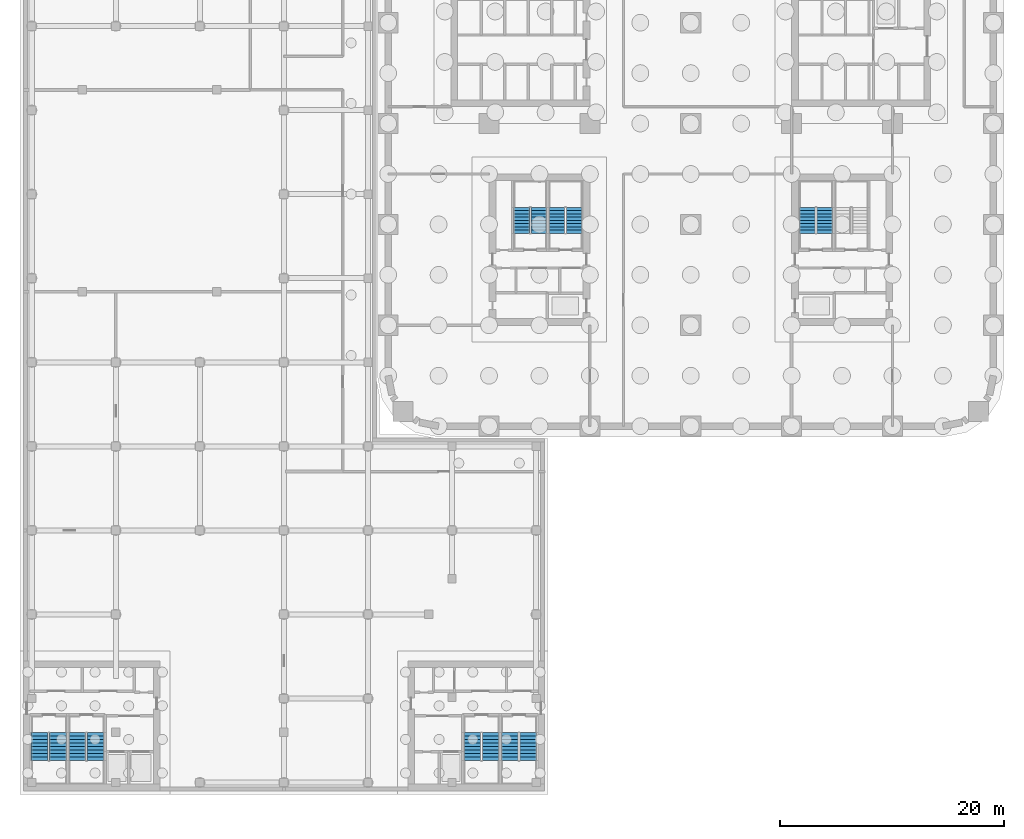
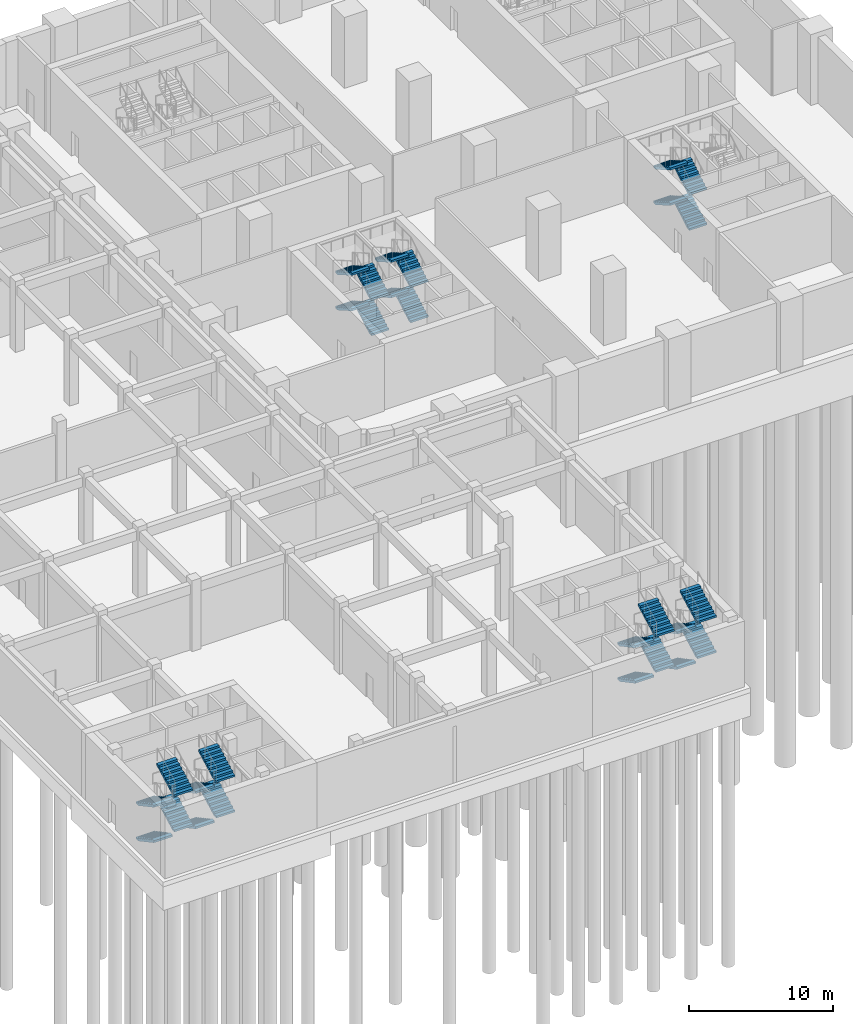
# One storey, part 15 of 26: 28 stair flights, 7 elements without a shape of their own.
"""IFC4 building model written with IfcOpenShell, lengths in metres."""

import ifcopenshell
import ifcopenshell.guid

model = None  # the IFC model being written
_history = None  # IfcOwnerHistory: only IFC2X3 demands one
_inside = {}  # id of a spatial element -> (the spatial element, [elements in it])
_under = {}  # id of a project, library or spatial element -> (it, [spatial elements below it])
_declared = {}  # id of a project -> (the project, [libraries it declares])
_typed = {}  # id of a type object -> (the type object, [elements of that type])
_made_of = {}  # id of a material, layer set ... -> (it, [elements and type objects made of it])


def new_model(schema):
    """Start an empty IFC model of exactly this schema.

    Asked for "IFC4X3", IfcOpenShell would pick the latest addendum, in which some entities
    have other attributes; the version numbers below select the first issue.
    IFC2X3 requires an IfcOwnerHistory on every rooted entity: one is made here for all.
    """
    global model, _history
    if schema == "IFC4X3":
        model = ifcopenshell.file(schema_version=(4, 3, 0, 0))
    else:
        model = ifcopenshell.file(schema=schema)
    _inside.clear()
    _under.clear()
    _declared.clear()
    _typed.clear()
    _made_of.clear()
    _history = None
    if model.schema == "IFC2X3":
        org = make("IfcOrganization", Name="unknown")
        user = make(
            "IfcPersonAndOrganization",
            ThePerson=make("IfcPerson", FamilyName="unknown"),
            TheOrganization=org,
        )
        app = make(
            "IfcApplication",
            ApplicationDeveloper=org,
            Version="unknown",
            ApplicationFullName="unknown",
            ApplicationIdentifier="unknown",
        )
        _history = make(
            "IfcOwnerHistory",
            OwningUser=user,
            OwningApplication=app,
            ChangeAction="ADDED",
            CreationDate=0,
        )
    return model


def make(cls, **values):
    """One entity of the class cls with the attributes given. An attribute that is None is left unset."""
    return model.create_entity(
        cls, **{name: value for name, value in values.items() if value is not None}
    )


def rooted(cls, **values):
    """An entity with a GlobalId (a new one), such as an element, a storey or a relation."""
    return make(cls, GlobalId=ifcopenshell.guid.new(), OwnerHistory=_history, **values)


def si_unit(unit_type, name, prefix=None):
    """IfcSIUnit, for example si_unit("LENGTHUNIT", "METRE", prefix="MILLI")."""
    return make("IfcSIUnit", UnitType=unit_type, Prefix=prefix, Name=name)


def assignment(units):
    """IfcUnitAssignment: the units of a project."""
    return None if units is None else make("IfcUnitAssignment", Units=units)


def point(xyz):
    """IfcCartesianPoint."""
    return None if xyz is None else make("IfcCartesianPoint", Coordinates=xyz)


def direction(xyz):
    """IfcDirection."""
    return None if xyz is None else make("IfcDirection", DirectionRatios=xyz)


def frame(location, z_axis=None, x_axis=None):
    """IfcAxis2Placement3D, a coordinate frame: its origin and axes. An axis left out is left unset."""
    return make(
        "IfcAxis2Placement3D",
        Location=point(location),
        Axis=direction(z_axis),
        RefDirection=direction(x_axis),
    )


def origin():
    """The frame at (0, 0, 0) with its axes left unset."""
    return frame((0.0, 0.0, 0.0))


def place(relative_to, where):
    """IfcLocalPlacement: puts the frame where relative to a parent placement (None: the world)."""
    return make(
        "IfcLocalPlacement", PlacementRelTo=relative_to, RelativePlacement=where
    )


def context(
    kind, dimensions, precision=None, world=None, true_north=None, identifier=None
):
    """IfcGeometricRepresentationContext, for example the 3D "Model" context."""
    return make(
        "IfcGeometricRepresentationContext",
        ContextIdentifier=identifier,
        ContextType=kind,
        CoordinateSpaceDimension=dimensions,
        Precision=precision,
        WorldCoordinateSystem=world,
        TrueNorth=true_north,
    )


def subcontext(parent, identifier, kind, view, scale=None):
    """IfcGeometricRepresentationSubContext, for example "Body" below "Model"."""
    return make(
        "IfcGeometricRepresentationSubContext",
        ContextIdentifier=identifier,
        ContextType=kind,
        ParentContext=parent,
        TargetScale=scale,
        TargetView=view,
    )


def project(units=None, contexts=None):
    """IfcProject with its units and contexts."""
    return rooted(
        "IfcProject",
        Name="project",
        RepresentationContexts=contexts,
        UnitsInContext=assignment(units),
    )


def spatial(cls, under=None, at=None, **own):
    """A site, building, storey or space (cls), placed at a placement, below another one or the project."""
    s = rooted(cls, ObjectPlacement=at, **own)
    if under is not None:
        _under.setdefault(under.id(), (under, []))[1].append(s)
    return s


def polyline(points):
    """IfcPolyline through the points."""
    return make("IfcPolyline", Points=[point(p) for p in points])


def outline(outer, holes=None, kind="AREA"):
    """IfcArbitraryClosedProfileDef: a profile drawn as a closed curve; with holes, ...WithVoids."""
    if holes is None:
        return make("IfcArbitraryClosedProfileDef", ProfileType=kind, OuterCurve=outer)
    return make(
        "IfcArbitraryProfileDefWithVoids",
        ProfileType=kind,
        OuterCurve=outer,
        InnerCurves=holes,
    )


def extrude(swept, where, along, depth):
    """IfcExtrudedAreaSolid: the profile swept, set in the frame where, extruded along a direction by depth."""
    return make(
        "IfcExtrudedAreaSolid",
        SweptArea=swept,
        Position=where,
        ExtrudedDirection=direction(along),
        Depth=depth,
    )


def shape(context_of_items, identifier, shape_type, items):
    """IfcShapeRepresentation: the items that make up one representation, for example the "Body"."""
    return make(
        "IfcShapeRepresentation",
        ContextOfItems=context_of_items,
        RepresentationIdentifier=identifier,
        RepresentationType=shape_type,
        Items=items,
    )


def material(Name=None, Category=None):
    """IfcMaterial."""
    return make("IfcMaterial", Name=Name, Category=Category)


def made_of(thing, what):
    """Note that an element or type object is made of a material, layer set ...; save() writes the relation."""
    if what is not None:
        _made_of.setdefault(what.id(), (what, []))[1].append(thing)
    return thing


def type_object(cls, material=None, **own):
    """A type object (cls), such as IfcWallType, which elements share."""
    return made_of(rooted(cls, **own), material)


def element(
    cls,
    number,
    at=None,
    inside=None,
    cuts=None,
    type_object=None,
    material=None,
    context=None,
    identifier="Body",
    shape_type=None,
    held_by="IfcProductDefinitionShape",
    body=None,
    shapes=None,
    **own,
):
    """One element of the class cls, such as IfcWall. Its Tag is "e" and its number.

    at: its placement. inside: the storey or other place that contains it. cuts: it is an
    opening in that element (IfcRelVoidsElement). A single representation is given by context,
    identifier, shape_type and body (its items); several are given by shapes. held_by: the class
    of the entity that holds the representations. save() writes the other relations.
    """
    e = rooted(cls, Tag="e%d" % number, ObjectPlacement=at, **own)
    if body is not None:
        shapes = [shape(context, identifier, shape_type, body)]
    if shapes is not None:
        e.Representation = make(held_by, Representations=shapes)
    if inside is not None:
        _inside.setdefault(inside.id(), (inside, []))[1].append(e)
    if cuts is not None:
        rooted(
            "IfcRelVoidsElement", RelatingBuildingElement=cuts, RelatedOpeningElement=e
        )
    if type_object is not None:
        _typed.setdefault(type_object.id(), (type_object, []))[1].append(e)
    return made_of(e, material)


def aggregate(whole, parts):
    """IfcRelAggregates: a whole, such as a stair, and the parts it consists of."""
    return rooted("IfcRelAggregates", RelatingObject=whole, RelatedObjects=parts)


def save(model, path):
    """Write the relations noted so far, then the file.

    IfcRelAggregates (storeys below a building ...), IfcRelContainedInSpatialStructure (elements
    in a storey), IfcRelDefinesByType, IfcRelAssociatesMaterial and IfcRelDeclares: one each for
    every whole, place, type object, material and project.
    """
    for whole, parts in _under.values():
        aggregate(whole, parts)
    for where, things in _inside.values():
        rooted(
            "IfcRelContainedInSpatialStructure",
            RelatedElements=things,
            RelatingStructure=where,
        )
    for kind, things in _typed.values():
        rooted("IfcRelDefinesByType", RelatedObjects=things, RelatingType=kind)
    for what, things in _made_of.values():
        rooted("IfcRelAssociatesMaterial", RelatedObjects=things, RelatingMaterial=what)
    for by, libraries in _declared.values():
        rooted("IfcRelDeclares", RelatingContext=by, RelatedDefinitions=libraries)
    model.write(path)


model = new_model("IFC4")

# Units and contexts
model_context = context("Model", 3, precision=1e-05, world=origin(), true_north=direction((0.0, 1.0)))
body_context = subcontext(model_context, "Body", "Model", "MODEL_VIEW")
ifc_project = project(units=[si_unit("LENGTHUNIT", "METRE"), si_unit("AREAUNIT", "SQUARE_METRE"), si_unit("VOLUMEUNIT", "CUBIC_METRE"), si_unit("PLANEANGLEUNIT", "RADIAN"), si_unit("MASSUNIT", "GRAM", prefix="KILO")], contexts=[model_context])

# Site, building, storey
site_placement = place(None, origin())
site = spatial("IfcSite", under=ifc_project, at=site_placement, CompositionType="ELEMENT")
building_placement = place(site_placement, origin())
building = spatial("IfcBuilding", under=site, at=building_placement, Name="Tessera Arch", CompositionType="ELEMENT")
storey_placement = place(building_placement, frame((0.0, 0.0, -6.0)))
storey = spatial("IfcBuildingStorey", under=building, at=storey_placement, Name="B1", CompositionType="ELEMENT", Elevation=-6.0)

# Stair, stair flights
ifc_material_1 = material(Name="Concrete C40/50", Category="concrete")
stair_type_1 = type_object("IfcStairType", Name="Dogleg stair 1400", PredefinedType="HALF_TURN_STAIR", material=ifc_material_1)
stair_1_placement = place(storey_placement, origin())
stair_1 = element("IfcStair", 1, at=stair_1_placement, inside=storey, type_object=stair_type_1, Name="B1 S3a", PredefinedType="HALF_TURN_STAIR")
ifc_material_2 = material(Name="Concrete C40/50", Category="concrete")
stair_flight_type_1 = type_object("IfcStairFlightType", Name="Stair flight 1400", PredefinedType="STRAIGHT", material=ifc_material_2)
stair_flight_1_placement = place(storey_placement, frame((38.949951171875, 17.199951171875, 0.0), z_axis=(0.0, 0.0, 1.0), x_axis=(0.0, 1.0, 0.0)))
stair_flight_1 = element("IfcStairFlight", 2, at=stair_flight_1_placement, type_object=stair_flight_type_1, Name="S3a flight 1", NumberOfRisers=9, NumberOfTreads=8, PredefinedType="STRAIGHT", RiserHeight=0.166666667, TreadLength=0.29, context=body_context, shape_type="SweptSolid", body=[
    extrude(outline(polyline([(0.0, 0.0), (0.0, 0.166748046875), (0.2900390625, 0.166748046875), (0.2900390625, 0.333251953125), (0.580078125, 0.333251953125), (0.580078125, 0.5), (0.8701171875, 0.5), (0.8701171875, 0.666748046875), (1.159912109375, 0.666748046875), (1.159912109375, 0.833251953125), (1.449951171875, 0.833251953125), (1.449951171875, 1.0), (1.739990234375, 1.0), (1.739990234375, 1.166748046875), (2.030029296875, 1.166748046875), (2.030029296875, 1.333251953125), (2.320068359375, 1.333251953125), (2.320068359375, 1.5), (2.320068359375, 1.160400390625), (0.30078125, 0.0), (0.0, 0.0)])), frame((0.0, 0.699951171875, 0.0), z_axis=(0.0, -1.0, 0.0), x_axis=(1.0, 0.0, 0.0)), (0.0, 0.0, 1.0), 1.39990234375),
])
stair_flight_2_placement = place(storey_placement, frame((37.39990234375, 19.52001953125, 1.5), z_axis=(0.0, 0.0, 1.0), x_axis=(0.0, -1.0, 0.0)))
stair_flight_2 = element("IfcStairFlight", 3, at=stair_flight_2_placement, type_object=stair_flight_type_1, Name="S3a flight 2", NumberOfRisers=9, NumberOfTreads=8, PredefinedType="STRAIGHT", RiserHeight=0.166666667, TreadLength=0.29, context=body_context, shape_type="SweptSolid", body=[
    extrude(outline(polyline([(0.0, 0.0), (0.0, 0.166748046875), (0.2900390625, 0.166748046875), (0.2900390625, 0.333251953125), (0.580078125, 0.333251953125), (0.580078125, 0.5), (0.8701171875, 0.5), (0.8701171875, 0.666748046875), (1.159912109375, 0.666748046875), (1.159912109375, 0.833251953125), (1.449951171875, 0.833251953125), (1.449951171875, 1.0), (1.739990234375, 1.0), (1.739990234375, 1.166748046875), (2.030029296875, 1.166748046875), (2.030029296875, 1.333251953125), (2.320068359375, 1.333251953125), (2.320068359375, 1.5), (2.320068359375, 1.160400390625), (0.30078125, 0.0), (0.0, 0.0)])), frame((0.0, 0.699951171875, 0.0), z_axis=(0.0, -1.0, 0.0), x_axis=(1.0, 0.0, 0.0)), (0.0, 0.0, 1.0), 1.39990234375),
])
stair_flight_3_placement = place(storey_placement, frame((38.949951171875, 17.199951171875, 3.0), z_axis=(0.0, 0.0, 1.0), x_axis=(0.0, 1.0, 0.0)))
stair_flight_3 = element("IfcStairFlight", 4, at=stair_flight_3_placement, type_object=stair_flight_type_1, Name="S3a flight 3", NumberOfRisers=9, NumberOfTreads=8, PredefinedType="STRAIGHT", RiserHeight=0.166666667, TreadLength=0.29, context=body_context, shape_type="SweptSolid", body=[
    extrude(outline(polyline([(0.0, 0.0), (0.0, 0.166748046875), (0.2900390625, 0.166748046875), (0.2900390625, 0.333251953125), (0.580078125, 0.333251953125), (0.580078125, 0.5), (0.8701171875, 0.5), (0.8701171875, 0.666748046875), (1.159912109375, 0.666748046875), (1.159912109375, 0.833251953125), (1.449951171875, 0.833251953125), (1.449951171875, 1.0), (1.739990234375, 1.0), (1.739990234375, 1.166748046875), (2.030029296875, 1.166748046875), (2.030029296875, 1.333251953125), (2.320068359375, 1.333251953125), (2.320068359375, 1.5), (2.320068359375, 1.160400390625), (0.30078125, 0.0), (0.0, 0.0)])), frame((0.0, 0.699951171875, 0.0), z_axis=(0.0, -1.0, 0.0), x_axis=(1.0, 0.0, 0.0)), (0.0, 0.0, 1.0), 1.39990234375),
])
stair_flight_4_placement = place(storey_placement, frame((37.39990234375, 19.52001953125, 4.5), z_axis=(0.0, 0.0, 1.0), x_axis=(0.0, -1.0, 0.0)))
stair_flight_4 = element("IfcStairFlight", 5, at=stair_flight_4_placement, type_object=stair_flight_type_1, Name="S3a flight 4", NumberOfRisers=9, NumberOfTreads=8, PredefinedType="STRAIGHT", RiserHeight=0.166666667, TreadLength=0.29, context=body_context, shape_type="SweptSolid", body=[
    extrude(outline(polyline([(0.0, 0.0), (0.0, 0.166748046875), (0.2900390625, 0.166748046875), (0.2900390625, 0.333251953125), (0.580078125, 0.333251953125), (0.580078125, 0.5), (0.8701171875, 0.5), (0.8701171875, 0.666748046875), (1.159912109375, 0.666748046875), (1.159912109375, 0.833251953125), (1.449951171875, 0.833251953125), (1.449951171875, 1.0), (1.739990234375, 1.0), (1.739990234375, 1.166748046875), (2.030029296875, 1.166748046875), (2.030029296875, 1.333251953125), (2.320068359375, 1.333251953125), (2.320068359375, 1.5), (2.320068359375, 1.160400390625), (0.30078125, 0.0), (0.0, 0.0)])), frame((0.0, 0.699951171875, 0.0), z_axis=(0.0, -1.0, 0.0), x_axis=(1.0, 0.0, 0.0)), (0.0, 0.0, 1.0), 1.39990234375),
])
aggregate(stair_1, [stair_flight_1, stair_flight_2, stair_flight_3, stair_flight_4])

stair_2_placement = place(storey_placement, origin())
stair_2 = element("IfcStair", 6, at=stair_2_placement, inside=storey, type_object=stair_type_1, Name="B1 S4a", PredefinedType="HALF_TURN_STAIR")
stair_flight_5_placement = place(storey_placement, frame((16.60009765625, 17.199951171875, 0.0), z_axis=(0.0, 0.0, 1.0), x_axis=(0.0, 1.0, 0.0)))
stair_flight_5 = element("IfcStairFlight", 7, at=stair_flight_5_placement, type_object=stair_flight_type_1, Name="S4a flight 1", NumberOfRisers=9, NumberOfTreads=8, PredefinedType="STRAIGHT", RiserHeight=0.166666667, TreadLength=0.29, context=body_context, shape_type="SweptSolid", body=[
    extrude(outline(polyline([(0.0, 0.0), (0.0, 0.166748046875), (0.2900390625, 0.166748046875), (0.2900390625, 0.333251953125), (0.580078125, 0.333251953125), (0.580078125, 0.5), (0.8701171875, 0.5), (0.8701171875, 0.666748046875), (1.159912109375, 0.666748046875), (1.159912109375, 0.833251953125), (1.449951171875, 0.833251953125), (1.449951171875, 1.0), (1.739990234375, 1.0), (1.739990234375, 1.166748046875), (2.030029296875, 1.166748046875), (2.030029296875, 1.333251953125), (2.320068359375, 1.333251953125), (2.320068359375, 1.5), (2.320068359375, 1.160400390625), (0.30078125, 0.0), (0.0, 0.0)])), frame((0.0, 0.699951171875, 0.0), z_axis=(0.0, -1.0, 0.0), x_axis=(1.0, 0.0, 0.0)), (0.0, 0.0, 1.0), 1.39990234375),
])
stair_flight_6_placement = place(storey_placement, frame((15.050048828125, 19.52001953125, 1.5), z_axis=(0.0, 0.0, 1.0), x_axis=(0.0, -1.0, 0.0)))
stair_flight_6 = element("IfcStairFlight", 8, at=stair_flight_6_placement, type_object=stair_flight_type_1, Name="S4a flight 2", NumberOfRisers=9, NumberOfTreads=8, PredefinedType="STRAIGHT", RiserHeight=0.166666667, TreadLength=0.29, context=body_context, shape_type="SweptSolid", body=[
    extrude(outline(polyline([(0.0, 0.0), (0.0, 0.166748046875), (0.2900390625, 0.166748046875), (0.2900390625, 0.333251953125), (0.580078125, 0.333251953125), (0.580078125, 0.5), (0.8701171875, 0.5), (0.8701171875, 0.666748046875), (1.159912109375, 0.666748046875), (1.159912109375, 0.833251953125), (1.449951171875, 0.833251953125), (1.449951171875, 1.0), (1.739990234375, 1.0), (1.739990234375, 1.166748046875), (2.030029296875, 1.166748046875), (2.030029296875, 1.333251953125), (2.320068359375, 1.333251953125), (2.320068359375, 1.5), (2.320068359375, 1.160400390625), (0.30078125, 0.0), (0.0, 0.0)])), frame((0.0, 0.699951171875, 0.0), z_axis=(0.0, -1.0, 0.0), x_axis=(1.0, 0.0, 0.0)), (0.0, 0.0, 1.0), 1.39990234375),
])
stair_flight_7_placement = place(storey_placement, frame((16.60009765625, 17.199951171875, 3.0), z_axis=(0.0, 0.0, 1.0), x_axis=(0.0, 1.0, 0.0)))
stair_flight_7 = element("IfcStairFlight", 9, at=stair_flight_7_placement, type_object=stair_flight_type_1, Name="S4a flight 3", NumberOfRisers=9, NumberOfTreads=8, PredefinedType="STRAIGHT", RiserHeight=0.166666667, TreadLength=0.29, context=body_context, shape_type="SweptSolid", body=[
    extrude(outline(polyline([(0.0, 0.0), (0.0, 0.166748046875), (0.2900390625, 0.166748046875), (0.2900390625, 0.333251953125), (0.580078125, 0.333251953125), (0.580078125, 0.5), (0.8701171875, 0.5), (0.8701171875, 0.666748046875), (1.159912109375, 0.666748046875), (1.159912109375, 0.833251953125), (1.449951171875, 0.833251953125), (1.449951171875, 1.0), (1.739990234375, 1.0), (1.739990234375, 1.166748046875), (2.030029296875, 1.166748046875), (2.030029296875, 1.333251953125), (2.320068359375, 1.333251953125), (2.320068359375, 1.5), (2.320068359375, 1.160400390625), (0.30078125, 0.0), (0.0, 0.0)])), frame((0.0, 0.699951171875, 0.0), z_axis=(0.0, -1.0, 0.0), x_axis=(1.0, 0.0, 0.0)), (0.0, 0.0, 1.0), 1.39990234375),
])
stair_flight_8_placement = place(storey_placement, frame((15.050048828125, 19.52001953125, 4.5), z_axis=(0.0, 0.0, 1.0), x_axis=(0.0, -1.0, 0.0)))
stair_flight_8 = element("IfcStairFlight", 10, at=stair_flight_8_placement, type_object=stair_flight_type_1, Name="S4a flight 4", NumberOfRisers=9, NumberOfTreads=8, PredefinedType="STRAIGHT", RiserHeight=0.166666667, TreadLength=0.29, context=body_context, shape_type="SweptSolid", body=[
    extrude(outline(polyline([(0.0, 0.0), (0.0, 0.166748046875), (0.2900390625, 0.166748046875), (0.2900390625, 0.333251953125), (0.580078125, 0.333251953125), (0.580078125, 0.5), (0.8701171875, 0.5), (0.8701171875, 0.666748046875), (1.159912109375, 0.666748046875), (1.159912109375, 0.833251953125), (1.449951171875, 0.833251953125), (1.449951171875, 1.0), (1.739990234375, 1.0), (1.739990234375, 1.166748046875), (2.030029296875, 1.166748046875), (2.030029296875, 1.333251953125), (2.320068359375, 1.333251953125), (2.320068359375, 1.5), (2.320068359375, 1.160400390625), (0.30078125, 0.0), (0.0, 0.0)])), frame((0.0, 0.699951171875, 0.0), z_axis=(0.0, -1.0, 0.0), x_axis=(1.0, 0.0, 0.0)), (0.0, 0.0, 1.0), 1.39990234375),
])
aggregate(stair_2, [stair_flight_5, stair_flight_6, stair_flight_7, stair_flight_8])

stair_3_placement = place(storey_placement, origin())
stair_3 = element("IfcStair", 11, at=stair_3_placement, inside=storey, type_object=stair_type_1, Name="B1 S4b", PredefinedType="HALF_TURN_STAIR")
stair_flight_9_placement = place(storey_placement, frame((13.449951171875, 17.199951171875, 0.0), z_axis=(0.0, 0.0, 1.0), x_axis=(0.0, 1.0, 0.0)))
stair_flight_9 = element("IfcStairFlight", 12, at=stair_flight_9_placement, type_object=stair_flight_type_1, Name="S4b flight 1", NumberOfRisers=9, NumberOfTreads=8, PredefinedType="STRAIGHT", RiserHeight=0.166666667, TreadLength=0.29, context=body_context, shape_type="SweptSolid", body=[
    extrude(outline(polyline([(0.0, 0.0), (0.0, 0.166748046875), (0.2900390625, 0.166748046875), (0.2900390625, 0.333251953125), (0.580078125, 0.333251953125), (0.580078125, 0.5), (0.8701171875, 0.5), (0.8701171875, 0.666748046875), (1.159912109375, 0.666748046875), (1.159912109375, 0.833251953125), (1.449951171875, 0.833251953125), (1.449951171875, 1.0), (1.739990234375, 1.0), (1.739990234375, 1.166748046875), (2.030029296875, 1.166748046875), (2.030029296875, 1.333251953125), (2.320068359375, 1.333251953125), (2.320068359375, 1.5), (2.320068359375, 1.160400390625), (0.30078125, 0.0), (0.0, 0.0)])), frame((0.0, 0.699951171875, 0.0), z_axis=(0.0, -1.0, 0.0), x_axis=(1.0, 0.0, 0.0)), (0.0, 0.0, 1.0), 1.39990234375),
])
stair_flight_10_placement = place(storey_placement, frame((11.89990234375, 19.52001953125, 1.5), z_axis=(0.0, 0.0, 1.0), x_axis=(0.0, -1.0, 0.0)))
stair_flight_10 = element("IfcStairFlight", 13, at=stair_flight_10_placement, type_object=stair_flight_type_1, Name="S4b flight 2", NumberOfRisers=9, NumberOfTreads=8, PredefinedType="STRAIGHT", RiserHeight=0.166666667, TreadLength=0.29, context=body_context, shape_type="SweptSolid", body=[
    extrude(outline(polyline([(0.0, 0.0), (0.0, 0.166748046875), (0.2900390625, 0.166748046875), (0.2900390625, 0.333251953125), (0.580078125, 0.333251953125), (0.580078125, 0.5), (0.8701171875, 0.5), (0.8701171875, 0.666748046875), (1.159912109375, 0.666748046875), (1.159912109375, 0.833251953125), (1.449951171875, 0.833251953125), (1.449951171875, 1.0), (1.739990234375, 1.0), (1.739990234375, 1.166748046875), (2.030029296875, 1.166748046875), (2.030029296875, 1.333251953125), (2.320068359375, 1.333251953125), (2.320068359375, 1.5), (2.320068359375, 1.160400390625), (0.30078125, 0.0), (0.0, 0.0)])), frame((0.0, 0.699951171875, 0.0), z_axis=(0.0, -1.0, 0.0), x_axis=(1.0, 0.0, 0.0)), (0.0, 0.0, 1.0), 1.39990234375),
])
stair_flight_11_placement = place(storey_placement, frame((13.449951171875, 17.199951171875, 3.0), z_axis=(0.0, 0.0, 1.0), x_axis=(0.0, 1.0, 0.0)))
stair_flight_11 = element("IfcStairFlight", 14, at=stair_flight_11_placement, type_object=stair_flight_type_1, Name="S4b flight 3", NumberOfRisers=9, NumberOfTreads=8, PredefinedType="STRAIGHT", RiserHeight=0.166666667, TreadLength=0.29, context=body_context, shape_type="SweptSolid", body=[
    extrude(outline(polyline([(0.0, 0.0), (0.0, 0.166748046875), (0.2900390625, 0.166748046875), (0.2900390625, 0.333251953125), (0.580078125, 0.333251953125), (0.580078125, 0.5), (0.8701171875, 0.5), (0.8701171875, 0.666748046875), (1.159912109375, 0.666748046875), (1.159912109375, 0.833251953125), (1.449951171875, 0.833251953125), (1.449951171875, 1.0), (1.739990234375, 1.0), (1.739990234375, 1.166748046875), (2.030029296875, 1.166748046875), (2.030029296875, 1.333251953125), (2.320068359375, 1.333251953125), (2.320068359375, 1.5), (2.320068359375, 1.160400390625), (0.30078125, 0.0), (0.0, 0.0)])), frame((0.0, 0.699951171875, 0.0), z_axis=(0.0, -1.0, 0.0), x_axis=(1.0, 0.0, 0.0)), (0.0, 0.0, 1.0), 1.39990234375),
])
stair_flight_12_placement = place(storey_placement, frame((11.89990234375, 19.52001953125, 4.5), z_axis=(0.0, 0.0, 1.0), x_axis=(0.0, -1.0, 0.0)))
stair_flight_12 = element("IfcStairFlight", 15, at=stair_flight_12_placement, type_object=stair_flight_type_1, Name="S4b flight 4", NumberOfRisers=9, NumberOfTreads=8, PredefinedType="STRAIGHT", RiserHeight=0.166666667, TreadLength=0.29, context=body_context, shape_type="SweptSolid", body=[
    extrude(outline(polyline([(0.0, 0.0), (0.0, 0.166748046875), (0.2900390625, 0.166748046875), (0.2900390625, 0.333251953125), (0.580078125, 0.333251953125), (0.580078125, 0.5), (0.8701171875, 0.5), (0.8701171875, 0.666748046875), (1.159912109375, 0.666748046875), (1.159912109375, 0.833251953125), (1.449951171875, 0.833251953125), (1.449951171875, 1.0), (1.739990234375, 1.0), (1.739990234375, 1.166748046875), (2.030029296875, 1.166748046875), (2.030029296875, 1.333251953125), (2.320068359375, 1.333251953125), (2.320068359375, 1.5), (2.320068359375, 1.160400390625), (0.30078125, 0.0), (0.0, 0.0)])), frame((0.0, 0.699951171875, 0.0), z_axis=(0.0, -1.0, 0.0), x_axis=(1.0, 0.0, 0.0)), (0.0, 0.0, 1.0), 1.39990234375),
])
aggregate(stair_3, [stair_flight_9, stair_flight_10, stair_flight_11, stair_flight_12])

ifc_material_3 = material(Name="Concrete C40/50", Category="concrete")
stair_type_2 = type_object("IfcStairType", Name="Dogleg stair 1500", PredefinedType="HALF_TURN_STAIR", material=ifc_material_3)
stair_4_placement = place(storey_placement, origin())
stair_4 = element("IfcStair", 16, at=stair_4_placement, inside=storey, type_object=stair_type_2, Name="B1 M2a", PredefinedType="HALF_TURN_STAIR")
ifc_material_4 = material(Name="Concrete C40/50", Category="concrete")
stair_flight_type_2 = type_object("IfcStairFlightType", Name="Stair flight 1500", PredefinedType="STRAIGHT", material=ifc_material_4)
stair_flight_13_placement = place(storey_placement, frame((-31.10009765625, -27.35009765625, 0.0), z_axis=(0.0, 0.0, 1.0), x_axis=(0.0, -1.0, 0.0)))
stair_flight_13 = element("IfcStairFlight", 17, at=stair_flight_13_placement, type_object=stair_flight_type_2, Name="M2a flight 1", NumberOfRisers=9, NumberOfTreads=8, PredefinedType="STRAIGHT", RiserHeight=0.166666667, TreadLength=0.31, context=body_context, shape_type="SweptSolid", body=[
    extrude(outline(polyline([(0.0, 0.0), (0.0, 0.166748046875), (0.31005859375, 0.166748046875), (0.31005859375, 0.333251953125), (0.6201171875, 0.333251953125), (0.6201171875, 0.5), (0.929931640625, 0.5), (0.929931640625, 0.666748046875), (1.239990234375, 0.666748046875), (1.239990234375, 0.833251953125), (1.550048828125, 0.833251953125), (1.550048828125, 1.0), (1.860107421875, 1.0), (1.860107421875, 1.166748046875), (2.169921875, 1.166748046875), (2.169921875, 1.333251953125), (2.47998046875, 1.333251953125), (2.47998046875, 1.5), (2.47998046875, 1.1630859375), (0.316650390625, 0.0), (0.0, 0.0)])), frame((0.0, 0.75, 0.0), z_axis=(0.0, -1.0, 0.0), x_axis=(1.0, 0.0, 0.0)), (0.0, 0.0, 1.0), 1.5),
])
stair_flight_14_placement = place(storey_placement, frame((-29.449951171875, -29.830078125, 1.5), z_axis=(0.0, 0.0, 1.0), x_axis=(0.0, 1.0, 0.0)))
stair_flight_14 = element("IfcStairFlight", 18, at=stair_flight_14_placement, type_object=stair_flight_type_2, Name="M2a flight 2", NumberOfRisers=9, NumberOfTreads=8, PredefinedType="STRAIGHT", RiserHeight=0.166666667, TreadLength=0.31, context=body_context, shape_type="SweptSolid", body=[
    extrude(outline(polyline([(0.0, 0.0), (0.0, 0.166748046875), (0.31005859375, 0.166748046875), (0.31005859375, 0.333251953125), (0.6201171875, 0.333251953125), (0.6201171875, 0.5), (0.929931640625, 0.5), (0.929931640625, 0.666748046875), (1.239990234375, 0.666748046875), (1.239990234375, 0.833251953125), (1.550048828125, 0.833251953125), (1.550048828125, 1.0), (1.860107421875, 1.0), (1.860107421875, 1.166748046875), (2.169921875, 1.166748046875), (2.169921875, 1.333251953125), (2.47998046875, 1.333251953125), (2.47998046875, 1.5), (2.47998046875, 1.1630859375), (0.316650390625, 0.0), (0.0, 0.0)])), frame((0.0, 0.75, 0.0), z_axis=(0.0, -1.0, 0.0), x_axis=(1.0, 0.0, 0.0)), (0.0, 0.0, 1.0), 1.5),
])
stair_flight_15_placement = place(storey_placement, frame((-31.10009765625, -27.35009765625, 3.0), z_axis=(0.0, 0.0, 1.0), x_axis=(0.0, -1.0, 0.0)))
stair_flight_15 = element("IfcStairFlight", 19, at=stair_flight_15_placement, type_object=stair_flight_type_2, Name="M2a flight 3", NumberOfRisers=9, NumberOfTreads=8, PredefinedType="STRAIGHT", RiserHeight=0.166666667, TreadLength=0.31, context=body_context, shape_type="SweptSolid", body=[
    extrude(outline(polyline([(0.0, 0.0), (0.0, 0.166748046875), (0.31005859375, 0.166748046875), (0.31005859375, 0.333251953125), (0.6201171875, 0.333251953125), (0.6201171875, 0.5), (0.929931640625, 0.5), (0.929931640625, 0.666748046875), (1.239990234375, 0.666748046875), (1.239990234375, 0.833251953125), (1.550048828125, 0.833251953125), (1.550048828125, 1.0), (1.860107421875, 1.0), (1.860107421875, 1.166748046875), (2.169921875, 1.166748046875), (2.169921875, 1.333251953125), (2.47998046875, 1.333251953125), (2.47998046875, 1.5), (2.47998046875, 1.1630859375), (0.316650390625, 0.0), (0.0, 0.0)])), frame((0.0, 0.75, 0.0), z_axis=(0.0, -1.0, 0.0), x_axis=(1.0, 0.0, 0.0)), (0.0, 0.0, 1.0), 1.5),
])
stair_flight_16_placement = place(storey_placement, frame((-29.449951171875, -29.830078125, 4.5), z_axis=(0.0, 0.0, 1.0), x_axis=(0.0, 1.0, 0.0)))
stair_flight_16 = element("IfcStairFlight", 20, at=stair_flight_16_placement, type_object=stair_flight_type_2, Name="M2a flight 4", NumberOfRisers=9, NumberOfTreads=8, PredefinedType="STRAIGHT", RiserHeight=0.166666667, TreadLength=0.31, context=body_context, shape_type="SweptSolid", body=[
    extrude(outline(polyline([(0.0, 0.0), (0.0, 0.166748046875), (0.31005859375, 0.166748046875), (0.31005859375, 0.333251953125), (0.6201171875, 0.333251953125), (0.6201171875, 0.5), (0.929931640625, 0.5), (0.929931640625, 0.666748046875), (1.239990234375, 0.666748046875), (1.239990234375, 0.833251953125), (1.550048828125, 0.833251953125), (1.550048828125, 1.0), (1.860107421875, 1.0), (1.860107421875, 1.166748046875), (2.169921875, 1.166748046875), (2.169921875, 1.333251953125), (2.47998046875, 1.333251953125), (2.47998046875, 1.5), (2.47998046875, 1.1630859375), (0.316650390625, 0.0), (0.0, 0.0)])), frame((0.0, 0.75, 0.0), z_axis=(0.0, -1.0, 0.0), x_axis=(1.0, 0.0, 0.0)), (0.0, 0.0, 1.0), 1.5),
])
aggregate(stair_4, [stair_flight_13, stair_flight_14, stair_flight_15, stair_flight_16])

stair_5_placement = place(storey_placement, origin())
stair_5 = element("IfcStair", 21, at=stair_5_placement, inside=storey, type_object=stair_type_2, Name="B1 M2b", PredefinedType="HALF_TURN_STAIR")
stair_flight_17_placement = place(storey_placement, frame((-27.75, -27.35009765625, 0.0), z_axis=(0.0, 0.0, 1.0), x_axis=(0.0, -1.0, 0.0)))
stair_flight_17 = element("IfcStairFlight", 22, at=stair_flight_17_placement, type_object=stair_flight_type_2, Name="M2b flight 1", NumberOfRisers=9, NumberOfTreads=8, PredefinedType="STRAIGHT", RiserHeight=0.166666667, TreadLength=0.31, context=body_context, shape_type="SweptSolid", body=[
    extrude(outline(polyline([(0.0, 0.0), (0.0, 0.166748046875), (0.31005859375, 0.166748046875), (0.31005859375, 0.333251953125), (0.6201171875, 0.333251953125), (0.6201171875, 0.5), (0.929931640625, 0.5), (0.929931640625, 0.666748046875), (1.239990234375, 0.666748046875), (1.239990234375, 0.833251953125), (1.550048828125, 0.833251953125), (1.550048828125, 1.0), (1.860107421875, 1.0), (1.860107421875, 1.166748046875), (2.169921875, 1.166748046875), (2.169921875, 1.333251953125), (2.47998046875, 1.333251953125), (2.47998046875, 1.5), (2.47998046875, 1.1630859375), (0.316650390625, 0.0), (0.0, 0.0)])), frame((0.0, 0.75, 0.0), z_axis=(0.0, -1.0, 0.0), x_axis=(1.0, 0.0, 0.0)), (0.0, 0.0, 1.0), 1.5),
])
stair_flight_18_placement = place(storey_placement, frame((-26.10009765625, -29.830078125, 1.5), z_axis=(0.0, 0.0, 1.0), x_axis=(0.0, 1.0, 0.0)))
stair_flight_18 = element("IfcStairFlight", 23, at=stair_flight_18_placement, type_object=stair_flight_type_2, Name="M2b flight 2", NumberOfRisers=9, NumberOfTreads=8, PredefinedType="STRAIGHT", RiserHeight=0.166666667, TreadLength=0.31, context=body_context, shape_type="SweptSolid", body=[
    extrude(outline(polyline([(0.0, 0.0), (0.0, 0.166748046875), (0.31005859375, 0.166748046875), (0.31005859375, 0.333251953125), (0.6201171875, 0.333251953125), (0.6201171875, 0.5), (0.929931640625, 0.5), (0.929931640625, 0.666748046875), (1.239990234375, 0.666748046875), (1.239990234375, 0.833251953125), (1.550048828125, 0.833251953125), (1.550048828125, 1.0), (1.860107421875, 1.0), (1.860107421875, 1.166748046875), (2.169921875, 1.166748046875), (2.169921875, 1.333251953125), (2.47998046875, 1.333251953125), (2.47998046875, 1.5), (2.47998046875, 1.1630859375), (0.316650390625, 0.0), (0.0, 0.0)])), frame((0.0, 0.75, 0.0), z_axis=(0.0, -1.0, 0.0), x_axis=(1.0, 0.0, 0.0)), (0.0, 0.0, 1.0), 1.5),
])
stair_flight_19_placement = place(storey_placement, frame((-27.75, -27.35009765625, 3.0), z_axis=(0.0, 0.0, 1.0), x_axis=(0.0, -1.0, 0.0)))
stair_flight_19 = element("IfcStairFlight", 24, at=stair_flight_19_placement, type_object=stair_flight_type_2, Name="M2b flight 3", NumberOfRisers=9, NumberOfTreads=8, PredefinedType="STRAIGHT", RiserHeight=0.166666667, TreadLength=0.31, context=body_context, shape_type="SweptSolid", body=[
    extrude(outline(polyline([(0.0, 0.0), (0.0, 0.166748046875), (0.31005859375, 0.166748046875), (0.31005859375, 0.333251953125), (0.6201171875, 0.333251953125), (0.6201171875, 0.5), (0.929931640625, 0.5), (0.929931640625, 0.666748046875), (1.239990234375, 0.666748046875), (1.239990234375, 0.833251953125), (1.550048828125, 0.833251953125), (1.550048828125, 1.0), (1.860107421875, 1.0), (1.860107421875, 1.166748046875), (2.169921875, 1.166748046875), (2.169921875, 1.333251953125), (2.47998046875, 1.333251953125), (2.47998046875, 1.5), (2.47998046875, 1.1630859375), (0.316650390625, 0.0), (0.0, 0.0)])), frame((0.0, 0.75, 0.0), z_axis=(0.0, -1.0, 0.0), x_axis=(1.0, 0.0, 0.0)), (0.0, 0.0, 1.0), 1.5),
])
stair_flight_20_placement = place(storey_placement, frame((-26.10009765625, -29.830078125, 4.5), z_axis=(0.0, 0.0, 1.0), x_axis=(0.0, 1.0, 0.0)))
stair_flight_20 = element("IfcStairFlight", 25, at=stair_flight_20_placement, type_object=stair_flight_type_2, Name="M2b flight 4", NumberOfRisers=9, NumberOfTreads=8, PredefinedType="STRAIGHT", RiserHeight=0.166666667, TreadLength=0.31, context=body_context, shape_type="SweptSolid", body=[
    extrude(outline(polyline([(0.0, 0.0), (0.0, 0.166748046875), (0.31005859375, 0.166748046875), (0.31005859375, 0.333251953125), (0.6201171875, 0.333251953125), (0.6201171875, 0.5), (0.929931640625, 0.5), (0.929931640625, 0.666748046875), (1.239990234375, 0.666748046875), (1.239990234375, 0.833251953125), (1.550048828125, 0.833251953125), (1.550048828125, 1.0), (1.860107421875, 1.0), (1.860107421875, 1.166748046875), (2.169921875, 1.166748046875), (2.169921875, 1.333251953125), (2.47998046875, 1.333251953125), (2.47998046875, 1.5), (2.47998046875, 1.1630859375), (0.316650390625, 0.0), (0.0, 0.0)])), frame((0.0, 0.75, 0.0), z_axis=(0.0, -1.0, 0.0), x_axis=(1.0, 0.0, 0.0)), (0.0, 0.0, 1.0), 1.5),
])
aggregate(stair_5, [stair_flight_17, stair_flight_18, stair_flight_19, stair_flight_20])

stair_6_placement = place(storey_placement, origin())
stair_6 = element("IfcStair", 26, at=stair_6_placement, inside=storey, type_object=stair_type_2, Name="B1 M3a", PredefinedType="HALF_TURN_STAIR")
stair_flight_21_placement = place(storey_placement, frame((10.85009765625, -27.35009765625, 0.0), z_axis=(0.0, 0.0, 1.0), x_axis=(0.0, -1.0, 0.0)))
stair_flight_21 = element("IfcStairFlight", 27, at=stair_flight_21_placement, type_object=stair_flight_type_2, Name="M3a flight 1", NumberOfRisers=9, NumberOfTreads=8, PredefinedType="STRAIGHT", RiserHeight=0.166666667, TreadLength=0.31, context=body_context, shape_type="SweptSolid", body=[
    extrude(outline(polyline([(0.0, 0.0), (0.0, 0.166748046875), (0.31005859375, 0.166748046875), (0.31005859375, 0.333251953125), (0.6201171875, 0.333251953125), (0.6201171875, 0.5), (0.929931640625, 0.5), (0.929931640625, 0.666748046875), (1.239990234375, 0.666748046875), (1.239990234375, 0.833251953125), (1.550048828125, 0.833251953125), (1.550048828125, 1.0), (1.860107421875, 1.0), (1.860107421875, 1.166748046875), (2.169921875, 1.166748046875), (2.169921875, 1.333251953125), (2.47998046875, 1.333251953125), (2.47998046875, 1.5), (2.47998046875, 1.1630859375), (0.316650390625, 0.0), (0.0, 0.0)])), frame((0.0, 0.75, 0.0), z_axis=(0.0, -1.0, 0.0), x_axis=(1.0, 0.0, 0.0)), (0.0, 0.0, 1.0), 1.5),
])
stair_flight_22_placement = place(storey_placement, frame((12.5, -29.830078125, 1.5), z_axis=(0.0, 0.0, 1.0), x_axis=(0.0, 1.0, 0.0)))
stair_flight_22 = element("IfcStairFlight", 28, at=stair_flight_22_placement, type_object=stair_flight_type_2, Name="M3a flight 2", NumberOfRisers=9, NumberOfTreads=8, PredefinedType="STRAIGHT", RiserHeight=0.166666667, TreadLength=0.31, context=body_context, shape_type="SweptSolid", body=[
    extrude(outline(polyline([(0.0, 0.0), (0.0, 0.166748046875), (0.31005859375, 0.166748046875), (0.31005859375, 0.333251953125), (0.6201171875, 0.333251953125), (0.6201171875, 0.5), (0.929931640625, 0.5), (0.929931640625, 0.666748046875), (1.239990234375, 0.666748046875), (1.239990234375, 0.833251953125), (1.550048828125, 0.833251953125), (1.550048828125, 1.0), (1.860107421875, 1.0), (1.860107421875, 1.166748046875), (2.169921875, 1.166748046875), (2.169921875, 1.333251953125), (2.47998046875, 1.333251953125), (2.47998046875, 1.5), (2.47998046875, 1.1630859375), (0.316650390625, 0.0), (0.0, 0.0)])), frame((0.0, 0.75, 0.0), z_axis=(0.0, -1.0, 0.0), x_axis=(1.0, 0.0, 0.0)), (0.0, 0.0, 1.0), 1.5),
])
stair_flight_23_placement = place(storey_placement, frame((10.85009765625, -27.35009765625, 3.0), z_axis=(0.0, 0.0, 1.0), x_axis=(0.0, -1.0, 0.0)))
stair_flight_23 = element("IfcStairFlight", 29, at=stair_flight_23_placement, type_object=stair_flight_type_2, Name="M3a flight 3", NumberOfRisers=9, NumberOfTreads=8, PredefinedType="STRAIGHT", RiserHeight=0.166666667, TreadLength=0.31, context=body_context, shape_type="SweptSolid", body=[
    extrude(outline(polyline([(0.0, 0.0), (0.0, 0.166748046875), (0.31005859375, 0.166748046875), (0.31005859375, 0.333251953125), (0.6201171875, 0.333251953125), (0.6201171875, 0.5), (0.929931640625, 0.5), (0.929931640625, 0.666748046875), (1.239990234375, 0.666748046875), (1.239990234375, 0.833251953125), (1.550048828125, 0.833251953125), (1.550048828125, 1.0), (1.860107421875, 1.0), (1.860107421875, 1.166748046875), (2.169921875, 1.166748046875), (2.169921875, 1.333251953125), (2.47998046875, 1.333251953125), (2.47998046875, 1.5), (2.47998046875, 1.1630859375), (0.316650390625, 0.0), (0.0, 0.0)])), frame((0.0, 0.75, 0.0), z_axis=(0.0, -1.0, 0.0), x_axis=(1.0, 0.0, 0.0)), (0.0, 0.0, 1.0), 1.5),
])
stair_flight_24_placement = place(storey_placement, frame((12.5, -29.830078125, 4.5), z_axis=(0.0, 0.0, 1.0), x_axis=(0.0, 1.0, 0.0)))
stair_flight_24 = element("IfcStairFlight", 30, at=stair_flight_24_placement, type_object=stair_flight_type_2, Name="M3a flight 4", NumberOfRisers=9, NumberOfTreads=8, PredefinedType="STRAIGHT", RiserHeight=0.166666667, TreadLength=0.31, context=body_context, shape_type="SweptSolid", body=[
    extrude(outline(polyline([(0.0, 0.0), (0.0, 0.166748046875), (0.31005859375, 0.166748046875), (0.31005859375, 0.333251953125), (0.6201171875, 0.333251953125), (0.6201171875, 0.5), (0.929931640625, 0.5), (0.929931640625, 0.666748046875), (1.239990234375, 0.666748046875), (1.239990234375, 0.833251953125), (1.550048828125, 0.833251953125), (1.550048828125, 1.0), (1.860107421875, 1.0), (1.860107421875, 1.166748046875), (2.169921875, 1.166748046875), (2.169921875, 1.333251953125), (2.47998046875, 1.333251953125), (2.47998046875, 1.5), (2.47998046875, 1.1630859375), (0.316650390625, 0.0), (0.0, 0.0)])), frame((0.0, 0.75, 0.0), z_axis=(0.0, -1.0, 0.0), x_axis=(1.0, 0.0, 0.0)), (0.0, 0.0, 1.0), 1.5),
])
aggregate(stair_6, [stair_flight_21, stair_flight_22, stair_flight_23, stair_flight_24])

stair_7_placement = place(storey_placement, origin())
stair_7 = element("IfcStair", 31, at=stair_7_placement, inside=storey, type_object=stair_type_2, Name="B1 M3b", PredefinedType="HALF_TURN_STAIR")
stair_flight_25_placement = place(storey_placement, frame((7.5, -27.35009765625, 0.0), z_axis=(0.0, 0.0, 1.0), x_axis=(0.0, -1.0, 0.0)))
stair_flight_25 = element("IfcStairFlight", 32, at=stair_flight_25_placement, type_object=stair_flight_type_2, Name="M3b flight 1", NumberOfRisers=9, NumberOfTreads=8, PredefinedType="STRAIGHT", RiserHeight=0.166666667, TreadLength=0.31, context=body_context, shape_type="SweptSolid", body=[
    extrude(outline(polyline([(0.0, 0.0), (0.0, 0.166748046875), (0.31005859375, 0.166748046875), (0.31005859375, 0.333251953125), (0.6201171875, 0.333251953125), (0.6201171875, 0.5), (0.929931640625, 0.5), (0.929931640625, 0.666748046875), (1.239990234375, 0.666748046875), (1.239990234375, 0.833251953125), (1.550048828125, 0.833251953125), (1.550048828125, 1.0), (1.860107421875, 1.0), (1.860107421875, 1.166748046875), (2.169921875, 1.166748046875), (2.169921875, 1.333251953125), (2.47998046875, 1.333251953125), (2.47998046875, 1.5), (2.47998046875, 1.1630859375), (0.316650390625, 0.0), (0.0, 0.0)])), frame((0.0, 0.75, 0.0), z_axis=(0.0, -1.0, 0.0), x_axis=(1.0, 0.0, 0.0)), (0.0, 0.0, 1.0), 1.5),
])
stair_flight_26_placement = place(storey_placement, frame((9.14990234375, -29.830078125, 1.5), z_axis=(0.0, 0.0, 1.0), x_axis=(0.0, 1.0, 0.0)))
stair_flight_26 = element("IfcStairFlight", 33, at=stair_flight_26_placement, type_object=stair_flight_type_2, Name="M3b flight 2", NumberOfRisers=9, NumberOfTreads=8, PredefinedType="STRAIGHT", RiserHeight=0.166666667, TreadLength=0.31, context=body_context, shape_type="SweptSolid", body=[
    extrude(outline(polyline([(0.0, 0.0), (0.0, 0.166748046875), (0.31005859375, 0.166748046875), (0.31005859375, 0.333251953125), (0.6201171875, 0.333251953125), (0.6201171875, 0.5), (0.929931640625, 0.5), (0.929931640625, 0.666748046875), (1.239990234375, 0.666748046875), (1.239990234375, 0.833251953125), (1.550048828125, 0.833251953125), (1.550048828125, 1.0), (1.860107421875, 1.0), (1.860107421875, 1.166748046875), (2.169921875, 1.166748046875), (2.169921875, 1.333251953125), (2.47998046875, 1.333251953125), (2.47998046875, 1.5), (2.47998046875, 1.1630859375), (0.316650390625, 0.0), (0.0, 0.0)])), frame((0.0, 0.75, 0.0), z_axis=(0.0, -1.0, 0.0), x_axis=(1.0, 0.0, 0.0)), (0.0, 0.0, 1.0), 1.5),
])
stair_flight_27_placement = place(storey_placement, frame((7.5, -27.35009765625, 3.0), z_axis=(0.0, 0.0, 1.0), x_axis=(0.0, -1.0, 0.0)))
stair_flight_27 = element("IfcStairFlight", 34, at=stair_flight_27_placement, type_object=stair_flight_type_2, Name="M3b flight 3", NumberOfRisers=9, NumberOfTreads=8, PredefinedType="STRAIGHT", RiserHeight=0.166666667, TreadLength=0.31, context=body_context, shape_type="SweptSolid", body=[
    extrude(outline(polyline([(0.0, 0.0), (0.0, 0.166748046875), (0.31005859375, 0.166748046875), (0.31005859375, 0.333251953125), (0.6201171875, 0.333251953125), (0.6201171875, 0.5), (0.929931640625, 0.5), (0.929931640625, 0.666748046875), (1.239990234375, 0.666748046875), (1.239990234375, 0.833251953125), (1.550048828125, 0.833251953125), (1.550048828125, 1.0), (1.860107421875, 1.0), (1.860107421875, 1.166748046875), (2.169921875, 1.166748046875), (2.169921875, 1.333251953125), (2.47998046875, 1.333251953125), (2.47998046875, 1.5), (2.47998046875, 1.1630859375), (0.316650390625, 0.0), (0.0, 0.0)])), frame((0.0, 0.75, 0.0), z_axis=(0.0, -1.0, 0.0), x_axis=(1.0, 0.0, 0.0)), (0.0, 0.0, 1.0), 1.5),
])
stair_flight_28_placement = place(storey_placement, frame((9.14990234375, -29.830078125, 4.5), z_axis=(0.0, 0.0, 1.0), x_axis=(0.0, 1.0, 0.0)))
stair_flight_28 = element("IfcStairFlight", 35, at=stair_flight_28_placement, type_object=stair_flight_type_2, Name="M3b flight 4", NumberOfRisers=9, NumberOfTreads=8, PredefinedType="STRAIGHT", RiserHeight=0.166666667, TreadLength=0.31, context=body_context, shape_type="SweptSolid", body=[
    extrude(outline(polyline([(0.0, 0.0), (0.0, 0.166748046875), (0.31005859375, 0.166748046875), (0.31005859375, 0.333251953125), (0.6201171875, 0.333251953125), (0.6201171875, 0.5), (0.929931640625, 0.5), (0.929931640625, 0.666748046875), (1.239990234375, 0.666748046875), (1.239990234375, 0.833251953125), (1.550048828125, 0.833251953125), (1.550048828125, 1.0), (1.860107421875, 1.0), (1.860107421875, 1.166748046875), (2.169921875, 1.166748046875), (2.169921875, 1.333251953125), (2.47998046875, 1.333251953125), (2.47998046875, 1.5), (2.47998046875, 1.1630859375), (0.316650390625, 0.0), (0.0, 0.0)])), frame((0.0, 0.75, 0.0), z_axis=(0.0, -1.0, 0.0), x_axis=(1.0, 0.0, 0.0)), (0.0, 0.0, 1.0), 1.5),
])
aggregate(stair_7, [stair_flight_25, stair_flight_26, stair_flight_27, stair_flight_28])

save(model, "model.ifc")
